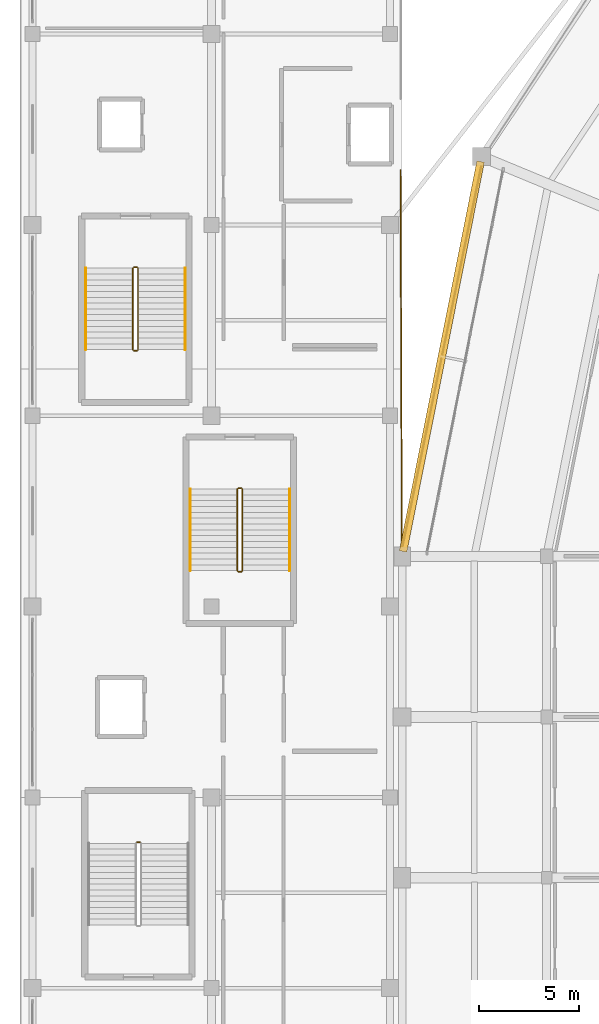
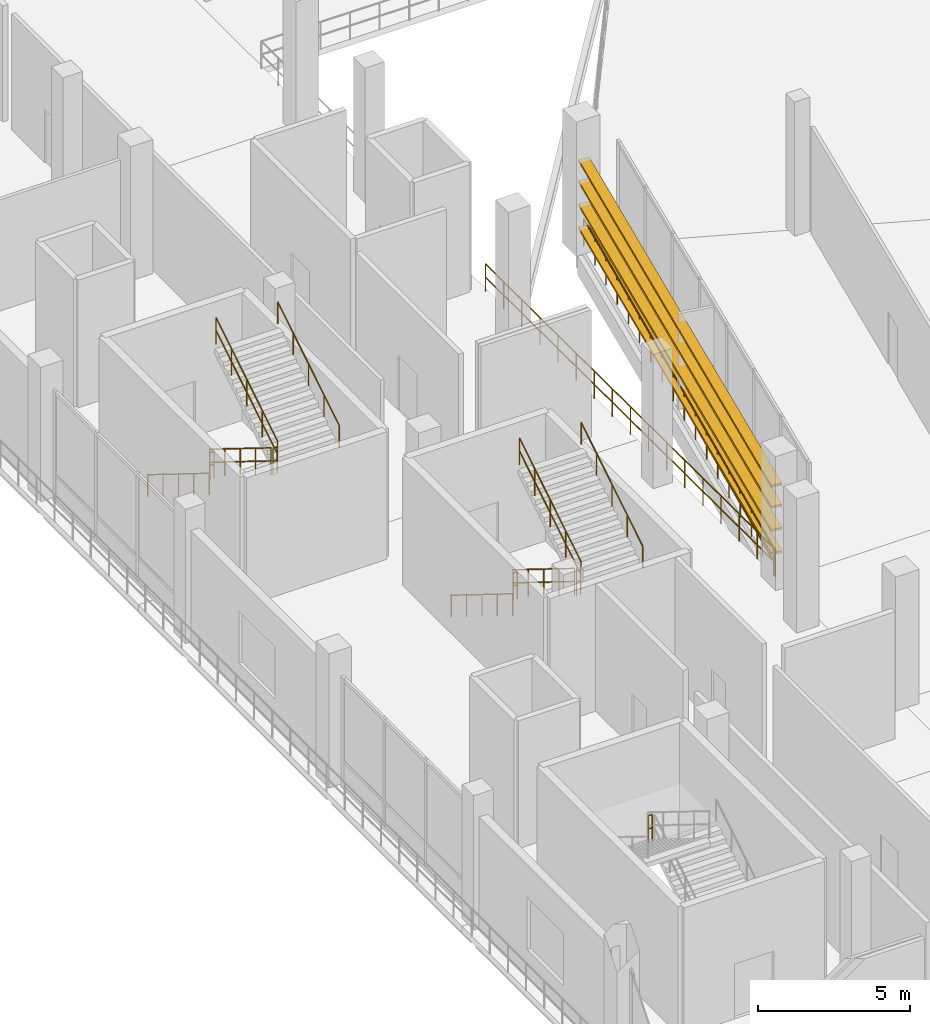
# One storey, part 99 of 114: 15 railings, 4 shading devices.
"""IFC4 building model written with IfcOpenShell, lengths in metres."""

from ifc_helpers import new_model, si_unit, direction, frame, origin, origin_2d, place, context, subcontext, project, spatial, rectangle, circle, extrude, material, layer, layer_set, type_object, element, save


model = new_model("IFC4")

# Units and contexts
model_context = context("Model", 3, precision=1e-05, world=origin(), true_north=direction((0.0, 1.0)))
body_context = subcontext(model_context, "Body", "Model", "MODEL_VIEW")
ifc_project = project(units=[si_unit("LENGTHUNIT", "METRE"), si_unit("AREAUNIT", "SQUARE_METRE"), si_unit("VOLUMEUNIT", "CUBIC_METRE"), si_unit("PLANEANGLEUNIT", "RADIAN"), si_unit("MASSUNIT", "GRAM", prefix="KILO")], contexts=[model_context])

# Site, building, storey
site_placement = place(None, origin())
site = spatial("IfcSite", under=ifc_project, at=site_placement, CompositionType="ELEMENT")
building_placement = place(site_placement, origin())
building = spatial("IfcBuilding", under=site, at=building_placement, Name="Candeia Ridge Stadium", CompositionType="ELEMENT")
storey_placement = place(building_placement, frame((0.0, 0.0, 5.39990234375)))
storey = spatial("IfcBuildingStorey", under=building, at=storey_placement, Name="L01", CompositionType="ELEMENT", Elevation=5.39990234375)

# Railings
ifc_material_1 = material(Name="Galvanized Powder-Coated Steel", Category="steel")
ifc_layer_1 = layer(ifc_material_1, 0.074951171875, Name="Galvanized Powder-Coated Steel", Category="steel")
ifc_layer_set_1 = layer_set([ifc_layer_1], Name="Galvanized Powder-Coated Steel")
railing_type_1 = type_object("IfcRailingType", Name="Spectator Bowl Front Guardrail 1120", PredefinedType="GUARDRAIL", material=ifc_layer_set_1)
railing_1_placement = place(storey_placement, frame((18.919921875, 114.215087890625, 0.0)))
element("IfcRailing", 1, at=railing_1_placement, inside=storey, type_object=railing_type_1, Name="Deck edge safety guardrail GR-DE-L01-0045", PredefinedType="GUARDRAIL", context=body_context, shape_type="SweptSolid", body=[
    extrude(circle(Radius=0.02392578125, at=origin_2d()), frame((0.0, 0.0, 1.09619140625), z_axis=(0.003807193265, -0.999992752613, 0.0), x_axis=(0.999992752613, 0.003807193265, 0.0)), (0.0, 0.0, 1.0), 18.9814453125),
    extrude(circle(Radius=0.02392578125, at=origin_2d()), frame((0.0, 0.0, 0.56005859375), z_axis=(0.003807193265, -0.999992752613, 0.0), x_axis=(0.999992752613, 0.003807193265, 0.0)), (0.0, 0.0, 1.0), 18.9814453125),
    extrude(circle(Radius=0.02099609375, at=origin_2d()), origin(), (0.0, 0.0, 1.0), 1.072021484375),
    extrude(circle(Radius=0.02099609375, at=origin_2d()), frame((0.00439453125, -1.186279296875, 0.0)), (0.0, 0.0, 1.0), 1.072021484375),
    extrude(circle(Radius=0.02099609375, at=origin_2d()), frame((0.009033203125, -2.37255859375, 0.0)), (0.0, 0.0, 1.0), 1.072021484375),
    extrude(circle(Radius=0.02099609375, at=origin_2d()), frame((0.013671875, -3.55908203125, 0.0)), (0.0, 0.0, 1.0), 1.072021484375),
    extrude(circle(Radius=0.02099609375, at=origin_2d()), frame((0.01806640625, -4.745361328125, 0.0)), (0.0, 0.0, 1.0), 1.072021484375),
    extrude(circle(Radius=0.02099609375, at=origin_2d()), frame((0.0224609375, -5.931640625, 0.0)), (0.0, 0.0, 1.0), 1.072021484375),
    extrude(circle(Radius=0.02099609375, at=origin_2d()), frame((0.027099609375, -7.117919921875, 0.0)), (0.0, 0.0, 1.0), 1.072021484375),
    extrude(circle(Radius=0.02099609375, at=origin_2d()), frame((0.03173828125, -8.30419921875, 0.0)), (0.0, 0.0, 1.0), 1.072021484375),
    extrude(circle(Radius=0.02099609375, at=origin_2d()), frame((0.0361328125, -9.49072265625, 0.0)), (0.0, 0.0, 1.0), 1.072021484375),
    extrude(circle(Radius=0.02099609375, at=origin_2d()), frame((0.04052734375, -10.677001953125, 0.0)), (0.0, 0.0, 1.0), 1.072021484375),
    extrude(circle(Radius=0.02099609375, at=origin_2d()), frame((0.045166015625, -11.86328125, 0.0)), (0.0, 0.0, 1.0), 1.072021484375),
    extrude(circle(Radius=0.02099609375, at=origin_2d()), frame((0.0498046875, -13.049560546875, 0.0)), (0.0, 0.0, 1.0), 1.072021484375),
    extrude(circle(Radius=0.02099609375, at=origin_2d()), frame((0.05419921875, -14.23583984375, 0.0)), (0.0, 0.0, 1.0), 1.072021484375),
    extrude(circle(Radius=0.02099609375, at=origin_2d()), frame((0.05859375, -15.422119140625, 0.0)), (0.0, 0.0, 1.0), 1.072021484375),
    extrude(circle(Radius=0.02099609375, at=origin_2d()), frame((0.063232421875, -16.608642578125, 0.0)), (0.0, 0.0, 1.0), 1.072021484375),
    extrude(circle(Radius=0.02099609375, at=origin_2d()), frame((0.06787109375, -17.794921875, 0.0)), (0.0, 0.0, 1.0), 1.072021484375),
    extrude(circle(Radius=0.02099609375, at=origin_2d()), frame((0.072265625, -18.981201171875, 0.0)), (0.0, 0.0, 1.0), 1.072021484375),
])
railing_2_placement = place(storey_placement, frame((18.982666015625, 95.3232421875, 0.0)))
element("IfcRailing", 2, at=railing_2_placement, inside=storey, type_object=railing_type_1, Name="Deck edge safety guardrail GR-DE-L01-0046", PredefinedType="GUARDRAIL", context=body_context, shape_type="SweptSolid", body=[
    extrude(circle(Radius=0.02392578125, at=origin_2d()), frame((0.0, 0.0, 1.09619140625), z_axis=(0.202662673924, 0.97924861021, 0.0), x_axis=(-0.97924861021, 0.202662673924, 0.0)), (0.0, 0.0, 1.0), 19.945556640625),
    extrude(circle(Radius=0.02392578125, at=origin_2d()), frame((0.0, 0.0, 0.56005859375), z_axis=(0.202662673924, 0.97924861021, 0.0), x_axis=(-0.97924861021, 0.202662673924, 0.0)), (0.0, 0.0, 1.0), 19.945556640625),
    extrude(circle(Radius=0.02099609375, at=origin_2d()), origin(), (0.0, 0.0, 1.0), 1.072021484375),
    extrude(circle(Radius=0.02099609375, at=origin_2d()), frame((0.23779296875, 1.14892578125, 0.0)), (0.0, 0.0, 1.0), 1.072021484375),
    extrude(circle(Radius=0.02099609375, at=origin_2d()), frame((0.4755859375, 2.2978515625, 0.0)), (0.0, 0.0, 1.0), 1.072021484375),
    extrude(circle(Radius=0.02099609375, at=origin_2d()), frame((0.71337890625, 3.44677734375, 0.0)), (0.0, 0.0, 1.0), 1.072021484375),
    extrude(circle(Radius=0.02099609375, at=origin_2d()), frame((0.951171875, 4.595703125, 0.0)), (0.0, 0.0, 1.0), 1.072021484375),
    extrude(circle(Radius=0.02099609375, at=origin_2d()), frame((1.18896484375, 5.74462890625, 0.0)), (0.0, 0.0, 1.0), 1.072021484375),
    extrude(circle(Radius=0.02099609375, at=origin_2d()), frame((1.4267578125, 6.8935546875, 0.0)), (0.0, 0.0, 1.0), 1.072021484375),
    extrude(circle(Radius=0.02099609375, at=origin_2d()), frame((1.66455078125, 8.04248046875, 0.0)), (0.0, 0.0, 1.0), 1.072021484375),
    extrude(circle(Radius=0.02099609375, at=origin_2d()), frame((1.90234375, 9.19140625, 0.0)), (0.0, 0.0, 1.0), 1.072021484375),
    extrude(circle(Radius=0.02099609375, at=origin_2d()), frame((2.139892578125, 10.34033203125, 0.0)), (0.0, 0.0, 1.0), 1.072021484375),
    extrude(circle(Radius=0.02099609375, at=origin_2d()), frame((2.377685546875, 11.4892578125, 0.0)), (0.0, 0.0, 1.0), 1.072021484375),
    extrude(circle(Radius=0.02099609375, at=origin_2d()), frame((2.615478515625, 12.63818359375, 0.0)), (0.0, 0.0, 1.0), 1.072021484375),
    extrude(circle(Radius=0.02099609375, at=origin_2d()), frame((2.853271484375, 13.787109375, 0.0)), (0.0, 0.0, 1.0), 1.072021484375),
    extrude(circle(Radius=0.02099609375, at=origin_2d()), frame((3.091064453125, 14.93603515625, 0.0)), (0.0, 0.0, 1.0), 1.072021484375),
    extrude(circle(Radius=0.02099609375, at=origin_2d()), frame((3.328857421875, 16.0849609375, 0.0)), (0.0, 0.0, 1.0), 1.072021484375),
    extrude(circle(Radius=0.02099609375, at=origin_2d()), frame((3.566650390625, 17.23388671875, 0.0)), (0.0, 0.0, 1.0), 1.072021484375),
    extrude(circle(Radius=0.02099609375, at=origin_2d()), frame((3.804443359375, 18.3828125, 0.0)), (0.0, 0.0, 1.0), 1.072021484375),
    extrude(circle(Radius=0.02099609375, at=origin_2d()), frame((4.042236328125, 19.53173828125, 0.0)), (0.0, 0.0, 1.0), 1.072021484375),
])
ifc_material_2 = material(Name="Brushed Stainless Steel", Category="steel")
ifc_layer_2 = layer(ifc_material_2, 0.048095703125, Name="Brushed Stainless Steel", Category="steel")
ifc_layer_set_2 = layer_set([ifc_layer_2], Name="Brushed Stainless Steel")
railing_type_2 = type_object("IfcRailingType", Name="Stair Wall & Flight Handrail 900", PredefinedType="HANDRAIL", material=ifc_layer_set_2)
railing_3_placement = place(storey_placement, frame((3.25, 109.35009765625, 0.18017578125)))
element("IfcRailing", 3, at=railing_3_placement, inside=storey, type_object=railing_type_2, Name="L01 ST06 stair handrail 1", PredefinedType="HANDRAIL", context=body_context, shape_type="SweptSolid", body=[
    extrude(circle(Radius=0.02392578125, at=origin_2d()), frame((0.0, 0.0, 0.8759765625), z_axis=(0.0, -0.849641744969, 0.527360318194), x_axis=(1.0, 0.0, 0.0)), (0.0, 0.0, 1.0), 4.778564453125),
    extrude(circle(Radius=0.02099609375, at=origin_2d()), origin(), (0.0, 0.0, 1.0), 0.851806640625),
    extrude(circle(Radius=0.02099609375, at=origin_2d()), frame((0.0, -1.01513671875, 0.6298828125)), (0.0, 0.0, 1.0), 0.851806640625),
    extrude(circle(Radius=0.02099609375, at=origin_2d()), frame((0.0, -2.030029296875, 1.260009765625)), (0.0, 0.0, 1.0), 0.851806640625),
    extrude(circle(Radius=0.02099609375, at=origin_2d()), frame((0.0, -3.044921875, 1.89013671875)), (0.0, 0.0, 1.0), 0.851806640625),
    extrude(circle(Radius=0.02099609375, at=origin_2d()), frame((0.0, -4.06005859375, 2.52001953125)), (0.0, 0.0, 1.0), 0.851806640625),
])
railing_4_placement = place(storey_placement, frame((8.199951171875, 105.2900390625, 2.880126953125)))
element("IfcRailing", 4, at=railing_4_placement, inside=storey, type_object=railing_type_2, Name="L01 ST06 stair handrail 2", PredefinedType="HANDRAIL", context=body_context, shape_type="SweptSolid", body=[
    extrude(circle(Radius=0.02392578125, at=origin_2d()), frame((0.0, 0.0, 0.8759765625), z_axis=(0.0, 0.849641744969, 0.527360318194), x_axis=(-1.0, 0.0, 0.0)), (0.0, 0.0, 1.0), 4.778564453125),
    extrude(circle(Radius=0.02099609375, at=origin_2d()), origin(), (0.0, 0.0, 1.0), 0.851806640625),
    extrude(circle(Radius=0.02099609375, at=origin_2d()), frame((0.0, 1.01513671875, 0.6298828125)), (0.0, 0.0, 1.0), 0.851806640625),
    extrude(circle(Radius=0.02099609375, at=origin_2d()), frame((0.0, 2.030029296875, 1.260009765625)), (0.0, 0.0, 1.0), 0.851806640625),
    extrude(circle(Radius=0.02099609375, at=origin_2d()), frame((0.0, 3.044921875, 1.89013671875)), (0.0, 0.0, 1.0), 0.851806640625),
    extrude(circle(Radius=0.02099609375, at=origin_2d()), frame((0.0, 4.06005859375, 2.52001953125)), (0.0, 0.0, 1.0), 0.851806640625),
])
railing_5_placement = place(storey_placement, frame((8.449951171875, 98.35009765625, 0.18017578125)))
element("IfcRailing", 5, at=railing_5_placement, inside=storey, type_object=railing_type_2, Name="L01 ST08 stair handrail 1", PredefinedType="HANDRAIL", context=body_context, shape_type="SweptSolid", body=[
    extrude(circle(Radius=0.02392578125, at=origin_2d()), frame((0.0, 0.0, 0.8759765625), z_axis=(0.0, -0.849641744969, 0.527360318194), x_axis=(1.0, 0.0, 0.0)), (0.0, 0.0, 1.0), 4.778564453125),
    extrude(circle(Radius=0.02099609375, at=origin_2d()), origin(), (0.0, 0.0, 1.0), 0.851806640625),
    extrude(circle(Radius=0.02099609375, at=origin_2d()), frame((0.0, -1.01513671875, 0.6298828125)), (0.0, 0.0, 1.0), 0.851806640625),
    extrude(circle(Radius=0.02099609375, at=origin_2d()), frame((0.0, -2.030029296875, 1.260009765625)), (0.0, 0.0, 1.0), 0.851806640625),
    extrude(circle(Radius=0.02099609375, at=origin_2d()), frame((0.0, -3.044921875, 1.89013671875)), (0.0, 0.0, 1.0), 0.851806640625),
    extrude(circle(Radius=0.02099609375, at=origin_2d()), frame((0.0, -4.06005859375, 2.52001953125)), (0.0, 0.0, 1.0), 0.851806640625),
])
railing_6_placement = place(storey_placement, frame((13.39990234375, 94.2900390625, 2.880126953125)))
element("IfcRailing", 6, at=railing_6_placement, inside=storey, type_object=railing_type_2, Name="L01 ST08 stair handrail 2", PredefinedType="HANDRAIL", context=body_context, shape_type="SweptSolid", body=[
    extrude(circle(Radius=0.02392578125, at=origin_2d()), frame((0.0, 0.0, 0.8759765625), z_axis=(0.0, 0.849641744969, 0.527360318194), x_axis=(-1.0, 0.0, 0.0)), (0.0, 0.0, 1.0), 4.778564453125),
    extrude(circle(Radius=0.02099609375, at=origin_2d()), origin(), (0.0, 0.0, 1.0), 0.851806640625),
    extrude(circle(Radius=0.02099609375, at=origin_2d()), frame((0.0, 1.01513671875, 0.6298828125)), (0.0, 0.0, 1.0), 0.851806640625),
    extrude(circle(Radius=0.02099609375, at=origin_2d()), frame((0.0, 2.030029296875, 1.260009765625)), (0.0, 0.0, 1.0), 0.851806640625),
    extrude(circle(Radius=0.02099609375, at=origin_2d()), frame((0.0, 3.044921875, 1.89013671875)), (0.0, 0.0, 1.0), 0.851806640625),
    extrude(circle(Radius=0.02099609375, at=origin_2d()), frame((0.0, 4.06005859375, 2.52001953125)), (0.0, 0.0, 1.0), 0.851806640625),
])
ifc_layer_3 = layer(ifc_material_1, 0.06005859375, Name="Galvanized Powder-Coated Steel", Category="steel")
ifc_layer_set_3 = layer_set([ifc_layer_3], Name="Galvanized Powder-Coated Steel")
railing_type_3 = type_object("IfcRailingType", Name="Stair Well Guardrail 1100", PredefinedType="GUARDRAIL", material=ifc_layer_set_3)
railing_7_placement = place(storey_placement, frame((5.60009765625, 109.35009765625, 0.18017578125)))
element("IfcRailing", 7, at=railing_7_placement, inside=storey, type_object=railing_type_3, Name="L01 ST06 stair guard 1", PredefinedType="GUARDRAIL", context=body_context, shape_type="SweptSolid", body=[
    extrude(circle(Radius=0.02392578125, at=origin_2d()), frame((0.0, 0.0, 1.076171875), z_axis=(0.0, -0.849641744969, 0.527360318194), x_axis=(1.0, 0.0, 0.0)), (0.0, 0.0, 1.0), 4.778564453125),
    extrude(circle(Radius=0.02392578125, at=origin_2d()), frame((0.0, 0.0, 0.550048828125), z_axis=(0.0, -0.849641744969, 0.527360318194), x_axis=(1.0, 0.0, 0.0)), (0.0, 0.0, 1.0), 4.778564453125),
    extrude(circle(Radius=0.02099609375, at=origin_2d()), origin(), (0.0, 0.0, 1.0), 1.052001953125),
    extrude(circle(Radius=0.02099609375, at=origin_2d()), frame((0.0, -1.01513671875, 0.6298828125)), (0.0, 0.0, 1.0), 1.052001953125),
    extrude(circle(Radius=0.02099609375, at=origin_2d()), frame((0.0, -2.030029296875, 1.260009765625)), (0.0, 0.0, 1.0), 1.052001953125),
    extrude(circle(Radius=0.02099609375, at=origin_2d()), frame((0.0, -3.044921875, 1.89013671875)), (0.0, 0.0, 1.0), 1.052001953125),
    extrude(circle(Radius=0.02099609375, at=origin_2d()), frame((0.0, -4.06005859375, 2.52001953125)), (0.0, 0.0, 1.0), 1.052001953125),
])
railing_8_placement = place(storey_placement, frame((5.64990234375, 105.239990234375, 2.7001953125)))
element("IfcRailing", 8, at=railing_8_placement, inside=storey, type_object=railing_type_3, Name="L01 ST06 stair guard 2", PredefinedType="GUARDRAIL", context=body_context, shape_type="SweptSolid", body=[
    extrude(circle(Radius=0.02392578125, at=origin_2d()), frame((0.0, 0.0, 1.076171875), z_axis=(1.0, 0.0, 0.0), x_axis=(0.0, 1.0, 0.0)), (0.0, 0.0, 1.0), 0.150146484375),
    extrude(circle(Radius=0.02392578125, at=origin_2d()), frame((0.0, 0.0, 0.550048828125), z_axis=(1.0, 0.0, 0.0), x_axis=(0.0, 1.0, 0.0)), (0.0, 0.0, 1.0), 0.150146484375),
    extrude(circle(Radius=0.02099609375, at=origin_2d()), origin(), (0.0, 0.0, 1.0), 1.052001953125),
    extrude(circle(Radius=0.02099609375, at=origin_2d()), frame((0.150146484375, 0.0, 0.0)), (0.0, 0.0, 1.0), 1.052001953125),
])
railing_9_placement = place(storey_placement, frame((5.85009765625, 105.2900390625, 2.880126953125)))
element("IfcRailing", 9, at=railing_9_placement, inside=storey, type_object=railing_type_3, Name="L01 ST06 stair guard 3", PredefinedType="GUARDRAIL", context=body_context, shape_type="SweptSolid", body=[
    extrude(circle(Radius=0.02392578125, at=origin_2d()), frame((0.0, 0.0, 1.076171875), z_axis=(0.0, 0.849641744969, 0.527360318194), x_axis=(-1.0, 0.0, 0.0)), (0.0, 0.0, 1.0), 4.778564453125),
    extrude(circle(Radius=0.02392578125, at=origin_2d()), frame((0.0, 0.0, 0.550048828125), z_axis=(0.0, 0.849641744969, 0.527360318194), x_axis=(-1.0, 0.0, 0.0)), (0.0, 0.0, 1.0), 4.778564453125),
    extrude(circle(Radius=0.02099609375, at=origin_2d()), origin(), (0.0, 0.0, 1.0), 1.052001953125),
    extrude(circle(Radius=0.02099609375, at=origin_2d()), frame((0.0, 1.01513671875, 0.6298828125)), (0.0, 0.0, 1.0), 1.052001953125),
    extrude(circle(Radius=0.02099609375, at=origin_2d()), frame((0.0, 2.030029296875, 1.260009765625)), (0.0, 0.0, 1.0), 1.052001953125),
    extrude(circle(Radius=0.02099609375, at=origin_2d()), frame((0.0, 3.044921875, 1.89013671875)), (0.0, 0.0, 1.0), 1.052001953125),
    extrude(circle(Radius=0.02099609375, at=origin_2d()), frame((0.0, 4.06005859375, 2.52001953125)), (0.0, 0.0, 1.0), 1.052001953125),
])
railing_10_placement = place(storey_placement, frame((5.64990234375, 109.39990234375, 0.0)))
element("IfcRailing", 10, at=railing_10_placement, inside=storey, type_object=railing_type_3, Name="L01 ST06 stair guard 4", PredefinedType="GUARDRAIL", context=body_context, shape_type="SweptSolid", body=[
    extrude(circle(Radius=0.02392578125, at=origin_2d()), frame((0.0, 0.0, 1.076171875), z_axis=(1.0, 0.0, 0.0), x_axis=(0.0, 1.0, 0.0)), (0.0, 0.0, 1.0), 0.150146484375),
    extrude(circle(Radius=0.02392578125, at=origin_2d()), frame((0.0, 0.0, 0.550048828125), z_axis=(1.0, 0.0, 0.0), x_axis=(0.0, 1.0, 0.0)), (0.0, 0.0, 1.0), 0.150146484375),
    extrude(circle(Radius=0.02099609375, at=origin_2d()), origin(), (0.0, 0.0, 1.0), 1.052001953125),
    extrude(circle(Radius=0.02099609375, at=origin_2d()), frame((0.150146484375, 0.0, 0.0)), (0.0, 0.0, 1.0), 1.052001953125),
])
railing_11_placement = place(storey_placement, frame((5.949951171875, 80.760009765625, 2.7001953125)))
element("IfcRailing", 11, at=railing_11_placement, inside=storey, type_object=railing_type_3, Name="L01 ST07 stair guard 2", PredefinedType="GUARDRAIL", context=body_context, shape_type="SweptSolid", body=[
    extrude(circle(Radius=0.02392578125, at=origin_2d()), frame((0.0, 0.0, 1.076171875), z_axis=(-1.0, 0.0, 0.0), x_axis=(0.0, -1.0, 0.0)), (0.0, 0.0, 1.0), 0.14990234375),
    extrude(circle(Radius=0.02392578125, at=origin_2d()), frame((0.0, 0.0, 0.550048828125), z_axis=(-1.0, 0.0, 0.0), x_axis=(0.0, -1.0, 0.0)), (0.0, 0.0, 1.0), 0.14990234375),
    extrude(circle(Radius=0.02099609375, at=origin_2d()), origin(), (0.0, 0.0, 1.0), 1.052001953125),
    extrude(circle(Radius=0.02099609375, at=origin_2d()), frame((-0.14990234375, 0.0, 0.0)), (0.0, 0.0, 1.0), 1.052001953125),
])
railing_12_placement = place(storey_placement, frame((10.800048828125, 98.35009765625, 0.18017578125)))
element("IfcRailing", 12, at=railing_12_placement, inside=storey, type_object=railing_type_3, Name="L01 ST08 stair guard 1", PredefinedType="GUARDRAIL", context=body_context, shape_type="SweptSolid", body=[
    extrude(circle(Radius=0.02392578125, at=origin_2d()), frame((0.0, 0.0, 1.076171875), z_axis=(0.0, -0.849641744969, 0.527360318194), x_axis=(1.0, 0.0, 0.0)), (0.0, 0.0, 1.0), 4.778564453125),
    extrude(circle(Radius=0.02392578125, at=origin_2d()), frame((0.0, 0.0, 0.550048828125), z_axis=(0.0, -0.849641744969, 0.527360318194), x_axis=(1.0, 0.0, 0.0)), (0.0, 0.0, 1.0), 4.778564453125),
    extrude(circle(Radius=0.02099609375, at=origin_2d()), origin(), (0.0, 0.0, 1.0), 1.052001953125),
    extrude(circle(Radius=0.02099609375, at=origin_2d()), frame((0.0, -1.01513671875, 0.6298828125)), (0.0, 0.0, 1.0), 1.052001953125),
    extrude(circle(Radius=0.02099609375, at=origin_2d()), frame((0.0, -2.030029296875, 1.260009765625)), (0.0, 0.0, 1.0), 1.052001953125),
    extrude(circle(Radius=0.02099609375, at=origin_2d()), frame((0.0, -3.044921875, 1.89013671875)), (0.0, 0.0, 1.0), 1.052001953125),
    extrude(circle(Radius=0.02099609375, at=origin_2d()), frame((0.0, -4.06005859375, 2.52001953125)), (0.0, 0.0, 1.0), 1.052001953125),
])
railing_13_placement = place(storey_placement, frame((10.85009765625, 94.239990234375, 2.7001953125)))
element("IfcRailing", 13, at=railing_13_placement, inside=storey, type_object=railing_type_3, Name="L01 ST08 stair guard 2", PredefinedType="GUARDRAIL", context=body_context, shape_type="SweptSolid", body=[
    extrude(circle(Radius=0.02392578125, at=origin_2d()), frame((0.0, 0.0, 1.076171875), z_axis=(1.0, 0.0, 0.0), x_axis=(0.0, 1.0, 0.0)), (0.0, 0.0, 1.0), 0.14990234375),
    extrude(circle(Radius=0.02392578125, at=origin_2d()), frame((0.0, 0.0, 0.550048828125), z_axis=(1.0, 0.0, 0.0), x_axis=(0.0, 1.0, 0.0)), (0.0, 0.0, 1.0), 0.14990234375),
    extrude(circle(Radius=0.02099609375, at=origin_2d()), origin(), (0.0, 0.0, 1.0), 1.052001953125),
    extrude(circle(Radius=0.02099609375, at=origin_2d()), frame((0.14990234375, 0.0, 0.0)), (0.0, 0.0, 1.0), 1.052001953125),
])
railing_14_placement = place(storey_placement, frame((11.050048828125, 94.2900390625, 2.880126953125)))
element("IfcRailing", 14, at=railing_14_placement, inside=storey, type_object=railing_type_3, Name="L01 ST08 stair guard 3", PredefinedType="GUARDRAIL", context=body_context, shape_type="SweptSolid", body=[
    extrude(circle(Radius=0.02392578125, at=origin_2d()), frame((0.0, 0.0, 1.076171875), z_axis=(0.0, 0.849641744969, 0.527360318194), x_axis=(-1.0, 0.0, 0.0)), (0.0, 0.0, 1.0), 4.778564453125),
    extrude(circle(Radius=0.02392578125, at=origin_2d()), frame((0.0, 0.0, 0.550048828125), z_axis=(0.0, 0.849641744969, 0.527360318194), x_axis=(-1.0, 0.0, 0.0)), (0.0, 0.0, 1.0), 4.778564453125),
    extrude(circle(Radius=0.02099609375, at=origin_2d()), origin(), (0.0, 0.0, 1.0), 1.052001953125),
    extrude(circle(Radius=0.02099609375, at=origin_2d()), frame((0.0, 1.01513671875, 0.6298828125)), (0.0, 0.0, 1.0), 1.052001953125),
    extrude(circle(Radius=0.02099609375, at=origin_2d()), frame((0.0, 2.030029296875, 1.260009765625)), (0.0, 0.0, 1.0), 1.052001953125),
    extrude(circle(Radius=0.02099609375, at=origin_2d()), frame((0.0, 3.044921875, 1.89013671875)), (0.0, 0.0, 1.0), 1.052001953125),
    extrude(circle(Radius=0.02099609375, at=origin_2d()), frame((0.0, 4.06005859375, 2.52001953125)), (0.0, 0.0, 1.0), 1.052001953125),
])
railing_15_placement = place(storey_placement, frame((10.85009765625, 98.39990234375, 0.0)))
element("IfcRailing", 15, at=railing_15_placement, inside=storey, type_object=railing_type_3, Name="L01 ST08 stair guard 4", PredefinedType="GUARDRAIL", context=body_context, shape_type="SweptSolid", body=[
    extrude(circle(Radius=0.02392578125, at=origin_2d()), frame((0.0, 0.0, 1.076171875), z_axis=(1.0, 0.0, 0.0), x_axis=(0.0, 1.0, 0.0)), (0.0, 0.0, 1.0), 0.14990234375),
    extrude(circle(Radius=0.02392578125, at=origin_2d()), frame((0.0, 0.0, 0.550048828125), z_axis=(1.0, 0.0, 0.0), x_axis=(0.0, 1.0, 0.0)), (0.0, 0.0, 1.0), 0.14990234375),
    extrude(circle(Radius=0.02099609375, at=origin_2d()), origin(), (0.0, 0.0, 1.0), 1.052001953125),
    extrude(circle(Radius=0.02099609375, at=origin_2d()), frame((0.14990234375, 0.0, 0.0)), (0.0, 0.0, 1.0), 1.052001953125),
])

# Shading devices
ifc_material_3 = material(Name="Aluminium Anodized Warm Bronze", Category="aluminium")
shading_device_type = type_object("IfcShadingDeviceType", Name="Weathered Bronze Horizontal Solar Rib 380x85", PredefinedType="JALOUSIE", material=ifc_material_3)
for number, where, z_axis, x_axis, name in (
    (16, (20.979248046875, 104.94970703125, 0.8916015625), (0.0, 0.0, 1.0), (-0.195090311899, -0.980785282416, 0.0), "Weathered bronze horizontal solar rib L01 bay 11-1"),
    (17, (20.979248046875, 104.94970703125, 1.825439453125), (0.0, 0.0, 1.0), (-0.195090311899, -0.980785282416, 0.0), "Weathered bronze horizontal solar rib L01 bay 11-2"),
    (18, (20.979248046875, 104.94970703125, 2.75927734375), (0.0, 0.0, 1.0), (-0.195090311899, -0.980785282416, 0.0), "Weathered bronze horizontal solar rib L01 bay 11-3"),
    (19, (20.979248046875, 104.94970703125, 3.6083984375), (0.0, 0.0, 1.0), (-0.195090311899, -0.980785282416, 0.0), "Weathered bronze horizontal solar rib L01 bay 11-4"),
):
    element("IfcShadingDevice", number, at=place(storey_placement, frame(where, z_axis=z_axis, x_axis=x_axis)), inside=storey, type_object=shading_device_type, Name=name, PredefinedType="JALOUSIE", context=body_context, shape_type="SweptSolid", body=[
        extrude(rectangle(XDim=19.789306640625, YDim=0.3798828125, at=origin_2d()), origin(), (0.0, 0.0, 1.0), 0.0849609375),
    ])

save(model, "model.ifc")
